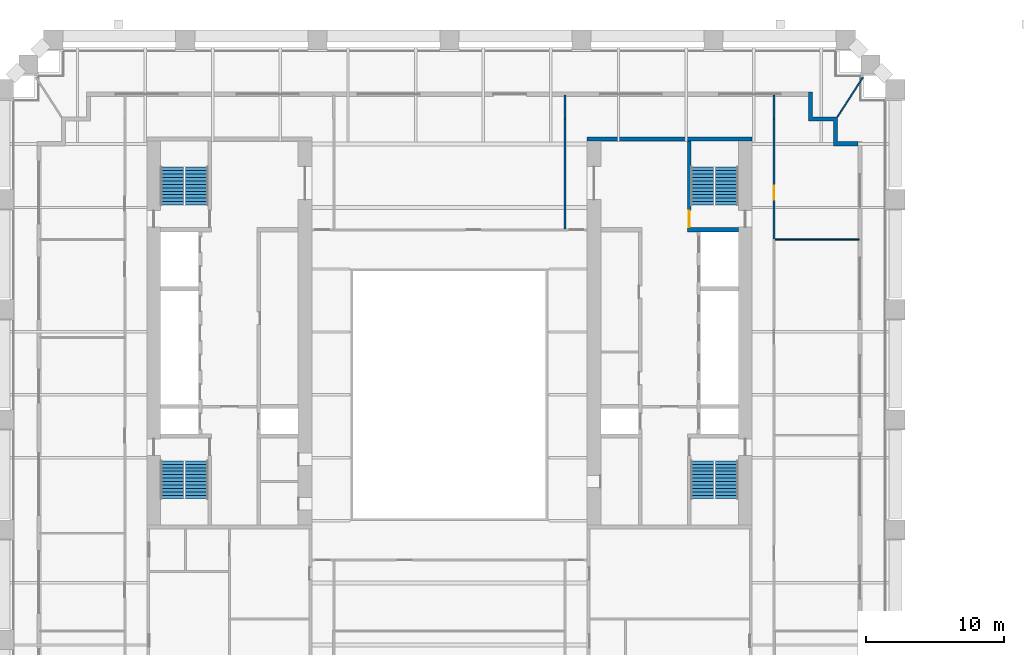
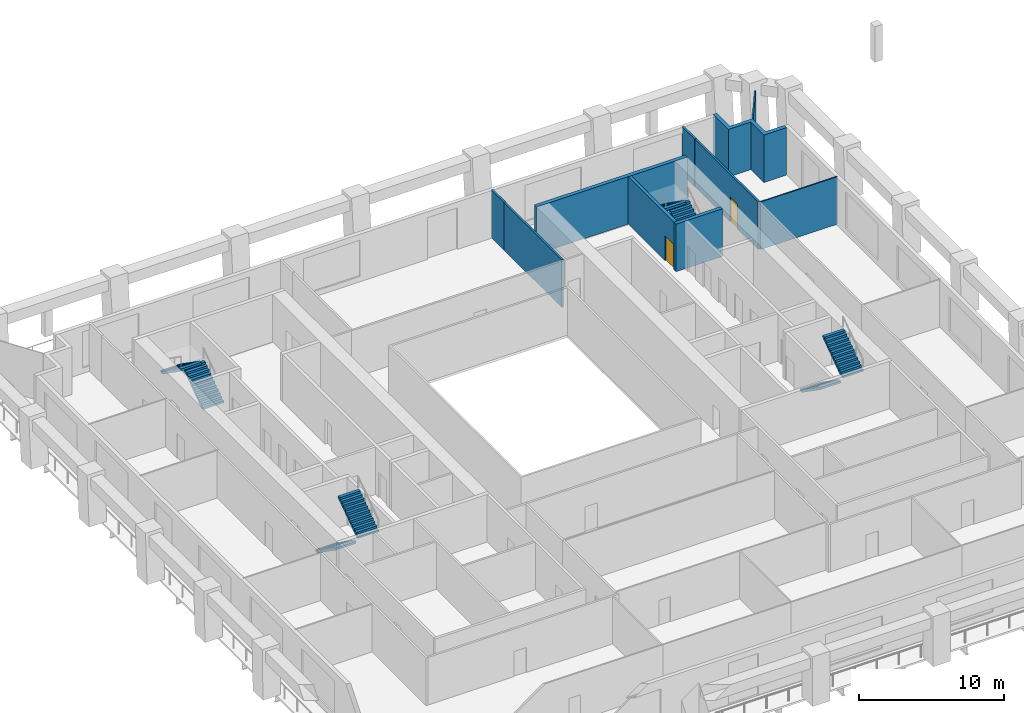
# One storey, part 8 of 10: 10 walls, 8 stair flights, 2 doors, 2 openings, 4 elements without a shape of their own.
"""IFC4 building model written with IfcOpenShell, lengths in metres."""

from ifc_helpers import new_model, si_unit, direction, frame, frame_2d, origin, place, context, subcontext, project, spatial, polyline, rectangle, outline, extrude, material, layer, layer_set, type_object, element, fill, aggregate, save


model = new_model("IFC4")

# Units and contexts
model_context = context("Model", 3, precision=1e-05, world=origin(), true_north=direction((0.0, 1.0)))
body_context = subcontext(model_context, "Body", "Model", "MODEL_VIEW")
ifc_project = project(units=[si_unit("LENGTHUNIT", "METRE"), si_unit("AREAUNIT", "SQUARE_METRE"), si_unit("VOLUMEUNIT", "CUBIC_METRE"), si_unit("PLANEANGLEUNIT", "RADIAN"), si_unit("MASSUNIT", "GRAM", prefix="KILO")], contexts=[model_context])

# Site, building, storey
site_placement = place(None, origin())
site = spatial("IfcSite", under=ifc_project, at=site_placement, CompositionType="ELEMENT")
building_placement = place(site_placement, origin())
building = spatial("IfcBuilding", under=site, at=building_placement, Name="Ogive Exchange Tower", CompositionType="ELEMENT")
storey_placement = place(building_placement, frame((0.0, 0.0, 48.0)))
storey = spatial("IfcBuildingStorey", under=building, at=storey_placement, Name="L09", CompositionType="ELEMENT", Elevation=48.0)

# Walls
ifc_material_1 = material(Name="Fire partition EI 60 150")
ifc_layer_1 = layer(ifc_material_1, 0.14990234375)
ifc_layer_set_1 = layer_set([ifc_layer_1], Name="Fire partition EI 60 150")
wall_type_1 = type_object("IfcWallType", Name="Fire partition EI 60 150", PredefinedType="PARTITIONING", material=ifc_layer_set_1)
wall_1_placement = place(storey_placement, frame((8.39990234375, 19.074951171875, 0.0), z_axis=(0.0, 0.0, 1.0), x_axis=(0.0, 1.0, 0.0)))
element("IfcWall", 1, at=wall_1_placement, inside=storey, type_object=wall_type_1, Name="L09-PWL-031", PredefinedType="PARTITIONING", context=body_context, shape_type="SweptSolid", body=[
    extrude(rectangle(XDim=7.97509765625, YDim=0.14990234375, at=frame_2d((3.987548828125, 0.0))), origin(), (0.0, 0.0, 1.0), 4.0),
])
for number, where, z_axis, x_axis, name in (
    (2, (8.409912109375, 27.050048828125, 0.0), (0.0, 0.0, 1.0), (0.0, 1.0, 0.0), "L09-PWL-032"),
    (3, (23.590087890625, 28.800048828125, 0.0), (0.0, 0.0, 1.0), (0.0, -1.0, 0.0), "L09-PWL-036"),
):
    element("IfcWall", number, at=place(storey_placement, frame(where, z_axis=z_axis, x_axis=x_axis)), inside=storey, type_object=wall_type_1, Name=name, PredefinedType="PARTITIONING", context=body_context, shape_type="SweptSolid", body=[
        extrude(rectangle(XDim=1.75, YDim=0.14990234375, at=frame_2d((0.875, 0.0))), origin(), (0.0, 0.0, 1.0), 4.0),
    ])

# Wall, opening, door
wall_2_placement = place(storey_placement, frame((23.60009765625, 27.050048828125, 0.0), z_axis=(0.0, 0.0, 1.0), x_axis=(0.0, -1.0, 0.0)))
wall_2 = element("IfcWall", 4, at=wall_2_placement, inside=storey, type_object=wall_type_1, Name="L09-PWL-043", PredefinedType="PARTITIONING", context=body_context, shape_type="SweptSolid", body=[
    extrude(rectangle(XDim=8.7099609375, YDim=0.14990234375, at=frame_2d((4.35498046875, 0.0))), origin(), (0.0, 0.0, 1.0), 4.0),
])
opening_1_placement = place(wall_2_placement, frame((4.860107421875, 0.0, 0.0)))
opening_1 = element("IfcOpeningElement", 5, at=opening_1_placement, cuts=wall_2, Name="Opening L09-I07", PredefinedType="OPENING", context=body_context, shape_type="SweptSolid", body=[
    extrude(rectangle(XDim=1.0, YDim=2.10009765625, at=frame_2d((0.5, 1.050048828125))), frame((0.0, 0.0849609375, 0.0), z_axis=(0.0, -1.0, 0.0), x_axis=(1.0, 0.0, 0.0)), (0.0, 0.0, 1.0), 0.169921875),
])
ifc_material_2 = material(Name="Fire door FD 30S 1000 x 2100")
door_type_1 = type_object("IfcDoorType", Name="Fire door FD 30S 1000 x 2100", OperationType="NOTDEFINED", PredefinedType="DOOR", material=ifc_material_2)
door_1_placement = place(opening_1_placement, origin())
door_1 = element("IfcDoor", 6, at=door_1_placement, inside=storey, type_object=door_type_1, Name="L09-IDR-007", ObjectType="DT3", OperationType="SINGLE_SWING_LEFT", OverallHeight=2.10009765625, OverallWidth=1.0, PredefinedType="DOOR", context=body_context, shape_type="SweptSolid", body=[
    extrude(rectangle(XDim=1.0, YDim=2.10009765625, at=frame_2d((0.5, 1.050048828125))), frame((0.0, 0.02490234375, 0.0), z_axis=(0.0, -1.0, 0.0), x_axis=(1.0, 0.0, 0.0)), (0.0, 0.0, 1.0), 0.050048828125),
])
fill(opening_1, door_1)

# Walls
ifc_material_3 = material(Name="Precast concrete C40/50", Category="concrete")
ifc_layer_2 = layer(ifc_material_3, 0.300048828125)
ifc_layer_set_2 = layer_set([ifc_layer_2], Name="Limestone-faced wall 300")
wall_type_2 = type_object("IfcWallType", Name="Limestone-faced wall 300", PredefinedType="STANDARD", material=ifc_layer_set_2)
wall_3_placement = place(storey_placement, origin())
element("IfcWall", 7, at=wall_3_placement, inside=storey, type_object=wall_type_2, Name="External corner wall C2", PredefinedType="STANDARD", context=body_context, shape_type="SweptSolid", body=[
    extrude(outline(polyline([(27.89990234375, 26.89990234375), (26.10009765625, 26.89990234375), (26.10009765625, 29.0), (26.39990234375, 29.0), (26.39990234375, 27.199951171875), (28.199951171875, 27.199951171875), (28.199951171875, 25.39990234375), (29.699951171875, 25.39990234375), (29.699951171875, 25.10009765625), (27.89990234375, 25.10009765625), (27.89990234375, 26.89990234375)])), origin(), (0.0, 0.0, 1.0), 4.0),
])
ifc_material_4 = material(Name="Laminated safety glass in steel frame", Category="steel")
ifc_layer_3 = layer(ifc_material_4, 0.10009765625)
ifc_layer_set_3 = layer_set([ifc_layer_3], Name="Loggia end screen 100")
wall_type_3 = type_object("IfcWallType", Name="Loggia end screen 100", PredefinedType="STANDARD", material=ifc_layer_set_3)
wall_4_placement = place(storey_placement, frame((28.199951171875, 27.199951171875, -0.050048828125), z_axis=(0.0, 0.0, 1.0), x_axis=(0.543224544992, 0.839587454479, 0.0)))
element("IfcWall", 8, at=wall_4_placement, inside=storey, type_object=wall_type_3, Name="Loggia end screen C2", PredefinedType="STANDARD", context=body_context, shape_type="SweptSolid", body=[
    extrude(rectangle(XDim=3.407958984375, YDim=0.10009765625, at=frame_2d((1.7041015625, 0.0))), origin(), (0.0, 0.0, 1.0), 4.050048828125),
])
ifc_material_5 = material(Name="Partition 100 gypsum")
ifc_layer_4 = layer(ifc_material_5, 0.10009765625)
ifc_layer_set_4 = layer_set([ifc_layer_4], Name="Partition 100 gypsum")
wall_type_4 = type_object("IfcWallType", Name="Partition 100 gypsum", PredefinedType="PARTITIONING", material=ifc_layer_set_4)
wall_5_placement = place(storey_placement, frame((23.675048828125, 18.2900390625, 0.0), z_axis=(0.0, 0.0, 1.0), x_axis=(1.0, 0.0, 0.0)))
element("IfcWall", 9, at=wall_5_placement, inside=storey, type_object=wall_type_4, Name="L09-PWL-042", PredefinedType="PARTITIONING", context=body_context, shape_type="SweptSolid", body=[
    extrude(rectangle(XDim=6.125, YDim=0.10009765625, at=frame_2d((3.0625, 0.0))), origin(), (0.0, 0.0, 1.0), 4.0),
])

# Wall, opening, door
ifc_material_6 = material(Name="Concrete C70/85", Category="concrete")
ifc_layer_5 = layer(ifc_material_6, 0.25)
ifc_layer_set_5 = layer_set([ifc_layer_5], Name="RC core wall 250 C70/85")
wall_type_5 = type_object("IfcWallType", Name="RC core wall 250 C70/85", PredefinedType="SHEAR", material=ifc_layer_set_5)
wall_6_placement = place(storey_placement, frame((17.425048828125, 19.14990234375, 0.0), z_axis=(0.0, 0.0, 1.0), x_axis=(0.0, 1.0, 0.0)))
wall_6 = element("IfcWall", 10, at=wall_6_placement, inside=storey, type_object=wall_type_5, Name="E stair N front wall", PredefinedType="SHEAR", context=body_context, shape_type="SweptSolid", body=[
    extrude(rectangle(XDim=6.300048828125, YDim=0.25, at=frame_2d((3.14990234375, 0.0))), origin(), (0.0, 0.0, 1.0), 4.0),
])
opening_2_placement = place(wall_6_placement, frame((0.050048828125, 0.0, 0.0)))
opening_2 = element("IfcOpeningElement", 11, at=opening_2_placement, cuts=wall_6, Name="Opening L09-C37", PredefinedType="OPENING", context=body_context, shape_type="SweptSolid", body=[
    extrude(rectangle(XDim=1.199951171875, YDim=2.10009765625, at=frame_2d((0.60009765625, 1.050048828125))), frame((0.0, 0.135009765625, 0.0), z_axis=(0.0, -1.0, 0.0), x_axis=(1.0, 0.0, 0.0)), (0.0, 0.0, 1.0), 0.27001953125),
])
ifc_material_7 = material(Name="Steel fire door", Category="steel")
door_type_2 = type_object("IfcDoorType", Name="Stair door FD90 1200 x 2100", OperationType="NOTDEFINED", PredefinedType="DOOR", material=ifc_material_7)
door_2_placement = place(opening_2_placement, frame((1.199951171875, 0.0, 0.0), z_axis=(0.0, 0.0, 1.0), x_axis=(-1.0, 0.0, 0.0)))
door_2 = element("IfcDoor", 12, at=door_2_placement, inside=storey, type_object=door_type_2, Name="Stair door", ObjectType="CD5", OperationType="SINGLE_SWING_LEFT", OverallHeight=2.10009765625, OverallWidth=1.199951171875, PredefinedType="DOOR", context=body_context, shape_type="SweptSolid", body=[
    extrude(rectangle(XDim=1.199951171875, YDim=2.10009765625, at=frame_2d((0.60009765625, 1.050048828125))), frame((0.0, 0.02490234375, 0.0), z_axis=(0.0, -1.0, 0.0), x_axis=(1.0, 0.0, 0.0)), (0.0, 0.0, 1.0), 0.050048828125),
])
fill(opening_2, door_2)

# Walls
ifc_layer_6 = layer(ifc_material_6, 0.300048828125)
ifc_layer_set_6 = layer_set([ifc_layer_6], Name="RC core wall 300 C70/85")
wall_type_6 = type_object("IfcWallType", Name="RC core wall 300 C70/85", PredefinedType="SHEAR", material=ifc_layer_set_6)
wall_7_placement = place(storey_placement, frame((10.0, 25.60009765625, 0.0), z_axis=(0.0, 0.0, 1.0), x_axis=(1.0, 0.0, 0.0)))
element("IfcWall", 13, at=wall_7_placement, inside=storey, type_object=wall_type_6, Name="E north end wall", PredefinedType="SHEAR", context=body_context, shape_type="SweptSolid", body=[
    extrude(rectangle(XDim=12.0, YDim=0.300048828125, at=frame_2d((6.0, 0.0))), origin(), (0.0, 0.0, 1.0), 4.0),
])
wall_8_placement = place(storey_placement, frame((17.300048828125, 19.0, 0.0), z_axis=(0.0, 0.0, 1.0), x_axis=(1.0, 0.0, 0.0)))
element("IfcWall", 14, at=wall_8_placement, inside=storey, type_object=wall_type_6, Name="E stair N south wall", PredefinedType="SHEAR", context=body_context, shape_type="SweptSolid", body=[
    extrude(rectangle(XDim=3.699951171875, YDim=0.300048828125, at=frame_2d((1.85009765625, 0.0))), origin(), (0.0, 0.0, 1.0), 4.0),
])

# Stair, stair flights
ifc_material_8 = material(Name="Concrete C40/50", Category="concrete")
stair_type = type_object("IfcStairType", Name="Exit stair 1650 wide", PredefinedType="HALF_TURN_STAIR", material=ifc_material_8)
stair_1_placement = place(storey_placement, origin())
stair_1 = element("IfcStair", 15, at=stair_1_placement, inside=storey, type_object=stair_type, Name="L09 exit stair ST1", PredefinedType="HALF_TURN_STAIR")
stair_flight_type = type_object("IfcStairFlightType", Name="Stair flight 1650 wide", PredefinedType="STRAIGHT", material=ifc_material_8)
stair_flight_1_placement = place(storey_placement, frame((-20.175048828125, 2.199951171875, 0.0), z_axis=(0.0, 0.0, 1.0), x_axis=(0.0, -1.0, 0.0)))
stair_flight_1 = element("IfcStairFlight", 16, at=stair_flight_1_placement, type_object=stair_flight_type, Name="ST1 flight 1", NumberOfRisers=12, NumberOfTreads=11, PredefinedType="STRAIGHT", RiserHeight=0.175, TreadLength=0.25, context=body_context, shape_type="SweptSolid", body=[
    extrude(outline(polyline([(0.0, 0.0), (0.0, 0.175048828125), (0.25, 0.175048828125), (0.25, 0.35009765625), (0.5, 0.35009765625), (0.5, 0.52490234375), (0.75, 0.52490234375), (0.75, 0.699951171875), (1.0, 0.699951171875), (1.0, 0.875), (1.25, 0.875), (1.25, 1.050048828125), (1.5, 1.050048828125), (1.5, 1.22509765625), (1.75, 1.22509765625), (1.75, 1.39990234375), (2.0, 1.39990234375), (2.0, 1.574951171875), (2.25, 1.574951171875), (2.25, 1.75), (2.5, 1.75), (2.5, 1.925048828125), (2.75, 1.925048828125), (2.75, 2.10009765625), (2.75, 1.741943359375), (0.261474609375, 0.0), (0.0, 0.0)])), frame((0.0, 0.824951171875, 0.0), z_axis=(0.0, -1.0, 0.0), x_axis=(1.0, 0.0, 0.0)), (0.0, 0.0, 1.0), 1.64990234375),
])
stair_flight_2_placement = place(storey_placement, frame((-18.375, -0.550048828125, 2.10009765625), z_axis=(0.0, 0.0, 1.0), x_axis=(0.0, 1.0, 0.0)))
stair_flight_2 = element("IfcStairFlight", 17, at=stair_flight_2_placement, type_object=stair_flight_type, Name="ST1 flight 2", NumberOfRisers=12, NumberOfTreads=11, PredefinedType="STRAIGHT", RiserHeight=0.175, TreadLength=0.25, context=body_context, shape_type="SweptSolid", body=[
    extrude(outline(polyline([(0.0, 0.0), (0.0, 0.175048828125), (0.25, 0.175048828125), (0.25, 0.35009765625), (0.5, 0.35009765625), (0.5, 0.52490234375), (0.75, 0.52490234375), (0.75, 0.699951171875), (1.0, 0.699951171875), (1.0, 0.875), (1.25, 0.875), (1.25, 1.050048828125), (1.5, 1.050048828125), (1.5, 1.22509765625), (1.75, 1.22509765625), (1.75, 1.39990234375), (2.0, 1.39990234375), (2.0, 1.574951171875), (2.25, 1.574951171875), (2.25, 1.75), (2.5, 1.75), (2.5, 1.925048828125), (2.75, 1.925048828125), (2.75, 2.10009765625), (2.75, 1.741943359375), (0.261474609375, 0.0), (0.0, 0.0)])), frame((0.0, 0.824951171875, 0.0), z_axis=(0.0, -1.0, 0.0), x_axis=(1.0, 0.0, 0.0)), (0.0, 0.0, 1.0), 1.64990234375),
])
aggregate(stair_1, [stair_flight_1, stair_flight_2])

stair_2_placement = place(storey_placement, origin())
stair_2 = element("IfcStair", 18, at=stair_2_placement, inside=storey, type_object=stair_type, Name="L09 exit stair ST2", PredefinedType="HALF_TURN_STAIR")
stair_flight_3_placement = place(storey_placement, frame((-18.375, 20.800048828125, 0.0), z_axis=(0.0, 0.0, 1.0), x_axis=(0.0, 1.0, 0.0)))
stair_flight_3 = element("IfcStairFlight", 19, at=stair_flight_3_placement, type_object=stair_flight_type, Name="ST2 flight 1", NumberOfRisers=12, NumberOfTreads=11, PredefinedType="STRAIGHT", RiserHeight=0.175, TreadLength=0.25, context=body_context, shape_type="SweptSolid", body=[
    extrude(outline(polyline([(0.0, 0.0), (0.0, 0.175048828125), (0.25, 0.175048828125), (0.25, 0.35009765625), (0.5, 0.35009765625), (0.5, 0.52490234375), (0.75, 0.52490234375), (0.75, 0.699951171875), (1.0, 0.699951171875), (1.0, 0.875), (1.25, 0.875), (1.25, 1.050048828125), (1.5, 1.050048828125), (1.5, 1.22509765625), (1.75, 1.22509765625), (1.75, 1.39990234375), (2.0, 1.39990234375), (2.0, 1.574951171875), (2.25, 1.574951171875), (2.25, 1.75), (2.5, 1.75), (2.5, 1.925048828125), (2.75, 1.925048828125), (2.75, 2.10009765625), (2.75, 1.741943359375), (0.261474609375, 0.0), (0.0, 0.0)])), frame((0.0, 0.824951171875, 0.0), z_axis=(0.0, -1.0, 0.0), x_axis=(1.0, 0.0, 0.0)), (0.0, 0.0, 1.0), 1.64990234375),
])
stair_flight_4_placement = place(storey_placement, frame((-20.175048828125, 23.550048828125, 2.10009765625), z_axis=(0.0, 0.0, 1.0), x_axis=(0.0, -1.0, 0.0)))
stair_flight_4 = element("IfcStairFlight", 20, at=stair_flight_4_placement, type_object=stair_flight_type, Name="ST2 flight 2", NumberOfRisers=12, NumberOfTreads=11, PredefinedType="STRAIGHT", RiserHeight=0.175, TreadLength=0.25, context=body_context, shape_type="SweptSolid", body=[
    extrude(outline(polyline([(0.0, 0.0), (0.0, 0.175048828125), (0.25, 0.175048828125), (0.25, 0.35009765625), (0.5, 0.35009765625), (0.5, 0.52490234375), (0.75, 0.52490234375), (0.75, 0.699951171875), (1.0, 0.699951171875), (1.0, 0.875), (1.25, 0.875), (1.25, 1.050048828125), (1.5, 1.050048828125), (1.5, 1.22509765625), (1.75, 1.22509765625), (1.75, 1.39990234375), (2.0, 1.39990234375), (2.0, 1.574951171875), (2.25, 1.574951171875), (2.25, 1.75), (2.5, 1.75), (2.5, 1.925048828125), (2.75, 1.925048828125), (2.75, 2.10009765625), (2.75, 1.741943359375), (0.261474609375, 0.0), (0.0, 0.0)])), frame((0.0, 0.824951171875, 0.0), z_axis=(0.0, -1.0, 0.0), x_axis=(1.0, 0.0, 0.0)), (0.0, 0.0, 1.0), 1.64990234375),
])
aggregate(stair_2, [stair_flight_3, stair_flight_4])

stair_3_placement = place(storey_placement, origin())
stair_3 = element("IfcStair", 21, at=stair_3_placement, inside=storey, type_object=stair_type, Name="L09 exit stair ST3", PredefinedType="HALF_TURN_STAIR")
stair_flight_5_placement = place(storey_placement, frame((18.375, 2.199951171875, 0.0), z_axis=(0.0, 0.0, 1.0), x_axis=(0.0, -1.0, 0.0)))
stair_flight_5 = element("IfcStairFlight", 22, at=stair_flight_5_placement, type_object=stair_flight_type, Name="ST3 flight 1", NumberOfRisers=12, NumberOfTreads=11, PredefinedType="STRAIGHT", RiserHeight=0.175, TreadLength=0.25, context=body_context, shape_type="SweptSolid", body=[
    extrude(outline(polyline([(0.0, 0.0), (0.0, 0.175048828125), (0.25, 0.175048828125), (0.25, 0.35009765625), (0.5, 0.35009765625), (0.5, 0.52490234375), (0.75, 0.52490234375), (0.75, 0.699951171875), (1.0, 0.699951171875), (1.0, 0.875), (1.25, 0.875), (1.25, 1.050048828125), (1.5, 1.050048828125), (1.5, 1.22509765625), (1.75, 1.22509765625), (1.75, 1.39990234375), (2.0, 1.39990234375), (2.0, 1.574951171875), (2.25, 1.574951171875), (2.25, 1.75), (2.5, 1.75), (2.5, 1.925048828125), (2.75, 1.925048828125), (2.75, 2.10009765625), (2.75, 1.741943359375), (0.261474609375, 0.0), (0.0, 0.0)])), frame((0.0, 0.824951171875, 0.0), z_axis=(0.0, -1.0, 0.0), x_axis=(1.0, 0.0, 0.0)), (0.0, 0.0, 1.0), 1.64990234375),
])
stair_flight_6_placement = place(storey_placement, frame((20.175048828125, -0.550048828125, 2.10009765625), z_axis=(0.0, 0.0, 1.0), x_axis=(0.0, 1.0, 0.0)))
stair_flight_6 = element("IfcStairFlight", 23, at=stair_flight_6_placement, type_object=stair_flight_type, Name="ST3 flight 2", NumberOfRisers=12, NumberOfTreads=11, PredefinedType="STRAIGHT", RiserHeight=0.175, TreadLength=0.25, context=body_context, shape_type="SweptSolid", body=[
    extrude(outline(polyline([(0.0, 0.0), (0.0, 0.175048828125), (0.25, 0.175048828125), (0.25, 0.35009765625), (0.5, 0.35009765625), (0.5, 0.52490234375), (0.75, 0.52490234375), (0.75, 0.699951171875), (1.0, 0.699951171875), (1.0, 0.875), (1.25, 0.875), (1.25, 1.050048828125), (1.5, 1.050048828125), (1.5, 1.22509765625), (1.75, 1.22509765625), (1.75, 1.39990234375), (2.0, 1.39990234375), (2.0, 1.574951171875), (2.25, 1.574951171875), (2.25, 1.75), (2.5, 1.75), (2.5, 1.925048828125), (2.75, 1.925048828125), (2.75, 2.10009765625), (2.75, 1.741943359375), (0.261474609375, 0.0), (0.0, 0.0)])), frame((0.0, 0.824951171875, 0.0), z_axis=(0.0, -1.0, 0.0), x_axis=(1.0, 0.0, 0.0)), (0.0, 0.0, 1.0), 1.64990234375),
])
aggregate(stair_3, [stair_flight_5, stair_flight_6])

stair_4_placement = place(storey_placement, origin())
stair_4 = element("IfcStair", 24, at=stair_4_placement, inside=storey, type_object=stair_type, Name="L09 exit stair ST4", PredefinedType="HALF_TURN_STAIR")
stair_flight_7_placement = place(storey_placement, frame((20.175048828125, 20.800048828125, 0.0), z_axis=(0.0, 0.0, 1.0), x_axis=(0.0, 1.0, 0.0)))
stair_flight_7 = element("IfcStairFlight", 25, at=stair_flight_7_placement, type_object=stair_flight_type, Name="ST4 flight 1", NumberOfRisers=12, NumberOfTreads=11, PredefinedType="STRAIGHT", RiserHeight=0.175, TreadLength=0.25, context=body_context, shape_type="SweptSolid", body=[
    extrude(outline(polyline([(0.0, 0.0), (0.0, 0.175048828125), (0.25, 0.175048828125), (0.25, 0.35009765625), (0.5, 0.35009765625), (0.5, 0.52490234375), (0.75, 0.52490234375), (0.75, 0.699951171875), (1.0, 0.699951171875), (1.0, 0.875), (1.25, 0.875), (1.25, 1.050048828125), (1.5, 1.050048828125), (1.5, 1.22509765625), (1.75, 1.22509765625), (1.75, 1.39990234375), (2.0, 1.39990234375), (2.0, 1.574951171875), (2.25, 1.574951171875), (2.25, 1.75), (2.5, 1.75), (2.5, 1.925048828125), (2.75, 1.925048828125), (2.75, 2.10009765625), (2.75, 1.741943359375), (0.261474609375, 0.0), (0.0, 0.0)])), frame((0.0, 0.824951171875, 0.0), z_axis=(0.0, -1.0, 0.0), x_axis=(1.0, 0.0, 0.0)), (0.0, 0.0, 1.0), 1.64990234375),
])
stair_flight_8_placement = place(storey_placement, frame((18.375, 23.550048828125, 2.10009765625), z_axis=(0.0, 0.0, 1.0), x_axis=(0.0, -1.0, 0.0)))
stair_flight_8 = element("IfcStairFlight", 26, at=stair_flight_8_placement, type_object=stair_flight_type, Name="ST4 flight 2", NumberOfRisers=12, NumberOfTreads=11, PredefinedType="STRAIGHT", RiserHeight=0.175, TreadLength=0.25, context=body_context, shape_type="SweptSolid", body=[
    extrude(outline(polyline([(0.0, 0.0), (0.0, 0.175048828125), (0.25, 0.175048828125), (0.25, 0.35009765625), (0.5, 0.35009765625), (0.5, 0.52490234375), (0.75, 0.52490234375), (0.75, 0.699951171875), (1.0, 0.699951171875), (1.0, 0.875), (1.25, 0.875), (1.25, 1.050048828125), (1.5, 1.050048828125), (1.5, 1.22509765625), (1.75, 1.22509765625), (1.75, 1.39990234375), (2.0, 1.39990234375), (2.0, 1.574951171875), (2.25, 1.574951171875), (2.25, 1.75), (2.5, 1.75), (2.5, 1.925048828125), (2.75, 1.925048828125), (2.75, 2.10009765625), (2.75, 1.741943359375), (0.261474609375, 0.0), (0.0, 0.0)])), frame((0.0, 0.824951171875, 0.0), z_axis=(0.0, -1.0, 0.0), x_axis=(1.0, 0.0, 0.0)), (0.0, 0.0, 1.0), 1.64990234375),
])
aggregate(stair_4, [stair_flight_7, stair_flight_8])

save(model, "model.ifc")
